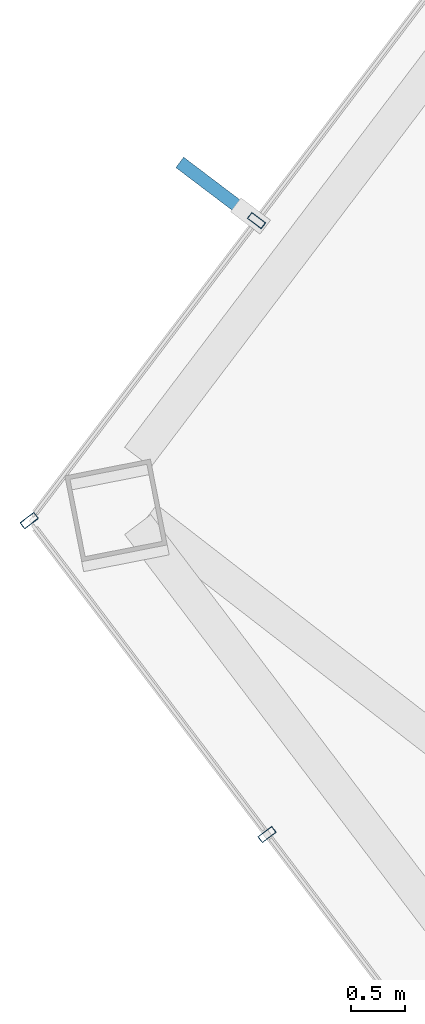
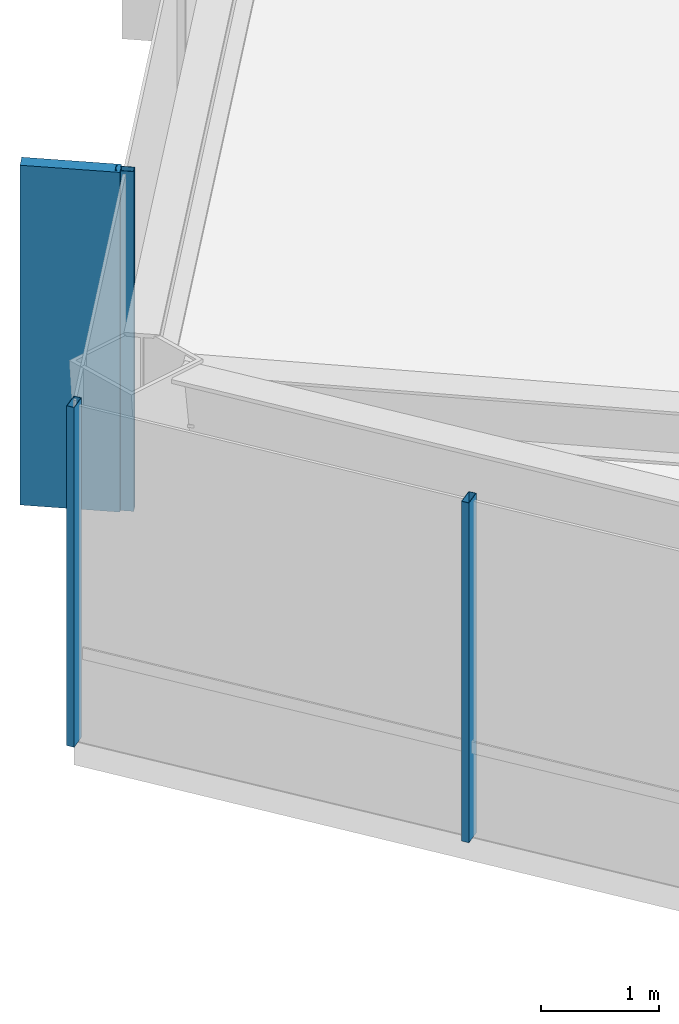
# One storey, part 11 of 30: 4 members, 2 elements without a shape of their own.
"""IFC4 building model written with IfcOpenShell, lengths in metres."""

from ifc_helpers import new_model, si_unit, direction, frame, origin, origin_2d, place, context, subcontext, project, spatial, rectangle, hollow_rectangle, extrude, material, layer, layer_set, material_profile, profile_set, type_object, element, aggregate, save


model = new_model("IFC4")

# Units and contexts
model_context = context("Model", 3, precision=1e-05, world=origin(), true_north=direction((0.0, 1.0)))
body_context = subcontext(model_context, "Body", "Model", "MODEL_VIEW")
ifc_project = project(units=[si_unit("LENGTHUNIT", "METRE"), si_unit("AREAUNIT", "SQUARE_METRE"), si_unit("VOLUMEUNIT", "CUBIC_METRE"), si_unit("PLANEANGLEUNIT", "RADIAN"), si_unit("MASSUNIT", "GRAM", prefix="KILO")], contexts=[model_context])

# Site, building, storey
site_placement = place(None, origin())
site = spatial("IfcSite", under=ifc_project, at=site_placement, CompositionType="ELEMENT")
building_placement = place(site_placement, origin())
building = spatial("IfcBuilding", under=site, at=building_placement, Name="Zarrinselat Tower", CompositionType="ELEMENT")
storey_placement = place(building_placement, frame((0.0, 0.0, 160.820068359375)))
storey = spatial("IfcBuildingStorey", under=building, at=storey_placement, Name="L39", CompositionType="ELEMENT", Elevation=160.820068359375)

# Curtain wall, members
ifc_material_1 = material(Name="Extruded Aluminium Alloy EN AW-6063 T6", Category="aluminium")
ifc_layer = layer(ifc_material_1, 0.175048828125)
ifc_layer_set = layer_set([ifc_layer], Name="Extruded Aluminium Alloy EN AW-6063 T6")
curtain_wall_type = type_object("IfcCurtainWallType", Name="CWS-HTL", PredefinedType="NOTDEFINED", material=ifc_layer_set)
curtain_wall_1_placement = place(storey_placement, origin())
curtain_wall_1 = element("IfcCurtainWall", 1, at=curtain_wall_1_placement, inside=storey, type_object=curtain_wall_type, Name="L39 Unitised Curtain Wall CW-L39-E01", PredefinedType="NOTDEFINED")
ifc_material_2 = material(Name="Extruded Aluminium Alloy EN AW-6063 T6", Category="aluminium")
ifc_material_profile_1 = material_profile(ifc_material_2, hollow_rectangle(XDim=0.070068359375, YDim=0.159912109375, WallThickness=0.00390625, at=origin_2d()), Name="RHS 160x70x4")
ifc_profile_set_1 = profile_set([ifc_material_profile_1], Name="Extruded Aluminium Alloy EN AW-6063 T6")
member_type_1 = type_object("IfcMemberType", Name="MEM-CW-MUL2", PredefinedType="MULLION", material=ifc_profile_set_1)
member_1_placement = place(storey_placement, frame((17.430908203125, 35.015869140625, 0.0), z_axis=(0.0, 0.0, 1.0), x_axis=(-0.603857992276, 0.797091917639, 0.0)))
member_1 = element("IfcMember", 2, at=member_1_placement, type_object=member_type_1, Name="CW-L39-E01 Mullion 6", PredefinedType="MULLION", context=body_context, shape_type="SweptSolid", body=[
    extrude(hollow_rectangle(XDim=0.070068359375, YDim=0.159912109375, WallThickness=0.00390625, at=origin_2d()), origin(), (0.0, 0.0, 1.0), 3.5),
])
member_2_placement = place(storey_placement, frame((15.24755859375, 37.89794921875, 0.0), z_axis=(0.0, 0.0, 1.0), x_axis=(-0.603857992276, 0.797091917639, 0.0)))
member_2 = element("IfcMember", 3, at=member_2_placement, type_object=member_type_1, Name="CW-L39-E01 Mullion 7", PredefinedType="MULLION", context=body_context, shape_type="SweptSolid", body=[
    extrude(hollow_rectangle(XDim=0.070068359375, YDim=0.159912109375, WallThickness=0.00390625, at=origin_2d()), origin(), (0.0, 0.0, 1.0), 3.5),
])
aggregate(curtain_wall_1, [member_1, member_2])

curtain_wall_2_placement = place(storey_placement, origin())
curtain_wall_2 = element("IfcCurtainWall", 4, at=curtain_wall_2_placement, inside=storey, type_object=curtain_wall_type, Name="L39 Unitised Curtain Wall CW-L39-E02", PredefinedType="NOTDEFINED")
member_3_placement = place(storey_placement, frame((17.33447265625, 40.652587890625, 0.0), z_axis=(0.0, 0.0, 1.0), x_axis=(0.603857687995, 0.797092148154, 0.0)))
member_3 = element("IfcMember", 5, at=member_3_placement, type_object=member_type_1, Name="CW-L39-E02 Mullion 1", PredefinedType="MULLION", context=body_context, shape_type="SweptSolid", body=[
    extrude(hollow_rectangle(XDim=0.070068359375, YDim=0.159912109375, WallThickness=0.00390625, at=origin_2d()), origin(), (0.0, 0.0, 1.0), 3.5),
])
ifc_material_3 = material(Name="Honed Cream Travertine Stone", Category="masonry")
ifc_material_profile_2 = material_profile(ifc_material_3, rectangle(XDim=0.1201171875, YDim=0.85009765625, at=origin_2d()), Name="FIN 850x120")
ifc_profile_set_2 = profile_set([ifc_material_profile_2], Name="Honed Cream Travertine Stone")
member_type_2 = type_object("IfcMemberType", Name="MEM-STONE-FIN", PredefinedType="USERDEFINED", material=ifc_profile_set_2)
member_4_placement = place(storey_placement, frame((16.9677734375, 40.930419921875, 0.0), z_axis=(0.0, 0.0, 1.0), x_axis=(0.603857687995, 0.797092148154, 0.0)))
member_4 = element("IfcMember", 6, at=member_4_placement, type_object=member_type_2, Name="L39 Stone Shading Fin CW-L39-E02-01", ObjectType="FIN", PredefinedType="USERDEFINED", context=body_context, shape_type="SweptSolid", body=[
    extrude(rectangle(XDim=0.1201171875, YDim=0.85009765625, at=origin_2d()), origin(), (0.0, 0.0, 1.0), 3.5),
])
aggregate(curtain_wall_2, [member_3, member_4])

save(model, "model.ifc")
